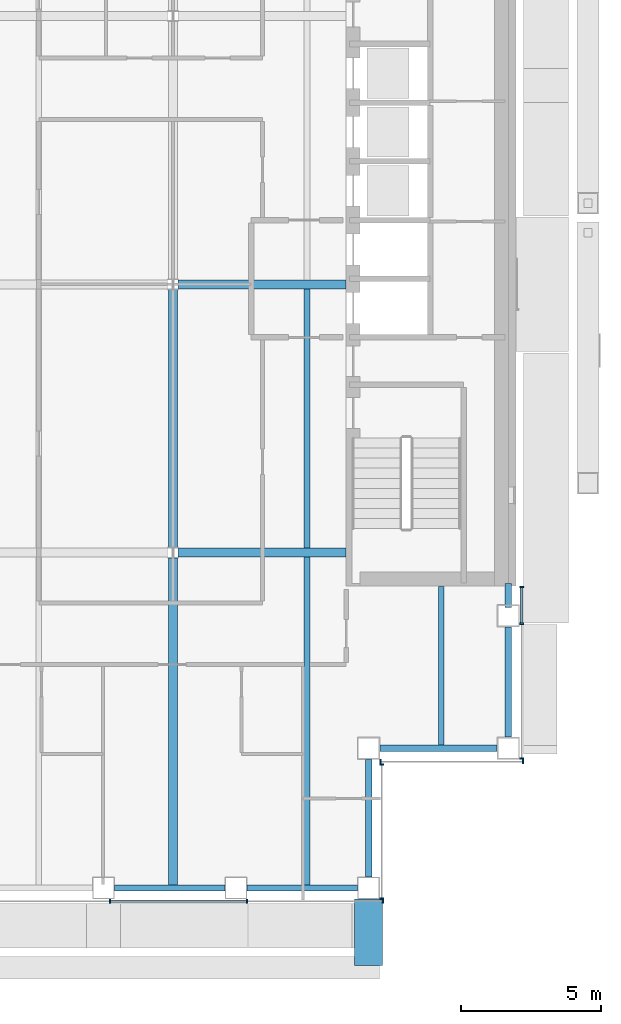
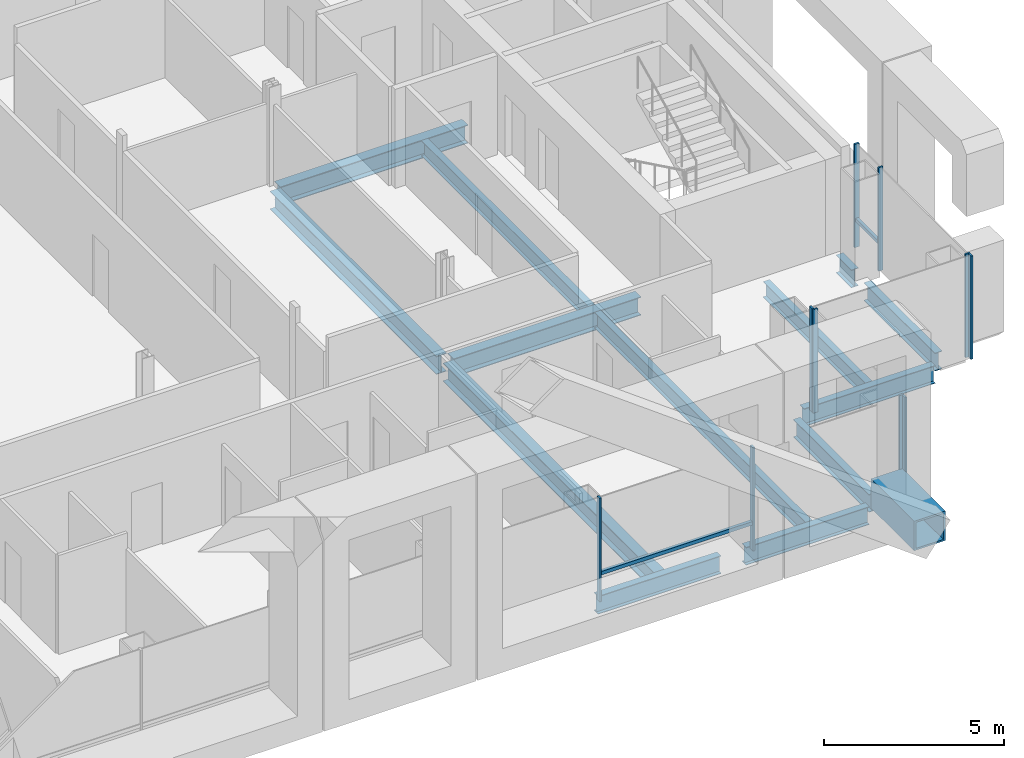
# One storey, part 6 of 22: 14 beams, 12 members, 4 elements without a shape of their own.
"""IFC4 building model written with IfcOpenShell, lengths in metres."""

from ifc_helpers import new_model, si_unit, direction, frame, origin, origin_2d, place, context, subcontext, project, spatial, rectangle, hollow_rectangle, i_section, extrude, material, material_profile, profile_set, type_object, element, aggregate, save


model = new_model("IFC4")

# Units and contexts
model_context = context("Model", 3, precision=1e-05, world=origin(), true_north=direction((0.0, 1.0)))
body_context = subcontext(model_context, "Body", "Model", "MODEL_VIEW")
ifc_project = project(units=[si_unit("LENGTHUNIT", "METRE"), si_unit("AREAUNIT", "SQUARE_METRE"), si_unit("VOLUMEUNIT", "CUBIC_METRE"), si_unit("PLANEANGLEUNIT", "RADIAN"), si_unit("MASSUNIT", "GRAM", prefix="KILO")], contexts=[model_context])

# Site, building, storey
site_placement = place(None, origin())
site = spatial("IfcSite", under=ifc_project, at=site_placement, CompositionType="ELEMENT")
building_placement = place(site_placement, origin())
building = spatial("IfcBuilding", under=site, at=building_placement, Name="Cobrizo Arcos Hotel Tower", CompositionType="ELEMENT")
storey_placement = place(building_placement, frame((0.0, 0.0, 162.0)))
storey = spatial("IfcBuildingStorey", under=building, at=storey_placement, Name="L41", CompositionType="ELEMENT", Elevation=162.0)

# Beam
ifc_material_1 = material(Name="Steel ASTM A572 Grade 50", Category="steel")
ifc_material_profile_1 = material_profile(ifc_material_1, hollow_rectangle(XDim=1.0, YDim=1.0, WallThickness=0.06005859375, at=origin_2d()), Name="BOX 1000X1000X60")
ifc_profile_set_1 = profile_set([ifc_material_profile_1], Name="Steel ASTM A572 Grade 50")
beam_type_1 = type_object("IfcBeamType", Name="BOX 1000X1000X60 brace connector strut", PredefinedType="BEAM", material=ifc_profile_set_1)
beam_1_placement = place(storey_placement, frame((16.60009765625, -21.989990234375, 0.5), z_axis=(0.0, -1.0, 0.0), x_axis=(1.0, 0.0, 0.0)))
element("IfcBeam", 1, at=beam_1_placement, inside=storey, type_object=beam_type_1, Name="Perimeter brace stub BS1, zone Z3, south face, offset +16.60 m, L41", PredefinedType="BEAM", context=body_context, shape_type="SweptSolid", body=[
    extrude(hollow_rectangle(XDim=1.0, YDim=1.0, WallThickness=0.06005859375, at=origin_2d()), origin(), (0.0, 0.0, 1.0), 2.380126953125),
])

# Curtain wall, members
ifc_material_2 = material(Name="Aluminium 6063-T6 anodised bronze", Category="aluminium")
curtain_wall_type = type_object("IfcCurtainWallType", Name="CW-A guest facade", PredefinedType="NOTDEFINED", material=ifc_material_2)
curtain_wall_1_placement = place(storey_placement, origin())
curtain_wall_1 = element("IfcCurtainWall", 2, at=curtain_wall_1_placement, inside=storey, type_object=curtain_wall_type, Name="CW-A L41 S face", PredefinedType="NOTDEFINED")
ifc_material_profile_2 = material_profile(ifc_material_2, rectangle(XDim=0.14990234375, YDim=0.06005859375, at=origin_2d()), Name="CW-A mullion 150x60")
ifc_profile_set_2 = profile_set([ifc_material_profile_2], Name="Aluminium 6063-T6 anodised bronze")
member_type_1 = type_object("IfcMemberType", Name="CW-A mullion 150x60", PredefinedType="MULLION", material=ifc_profile_set_2)
member_1_placement = place(storey_placement, frame((7.35009765625, -22.074951171875, 0.0), z_axis=(0.0, 0.0, 1.0), x_axis=(0.0, -1.0, 0.0)))
member_1 = element("IfcMember", 3, at=member_1_placement, type_object=member_type_1, Name="CW-A mullion 6", PredefinedType="MULLION", context=body_context, shape_type="SweptSolid", body=[
    extrude(rectangle(XDim=0.14990234375, YDim=0.06005859375, at=origin_2d()), origin(), (0.0, 0.0, 1.0), 3.5),
])
member_2_placement = place(storey_placement, frame((12.25, -22.074951171875, 0.0), z_axis=(0.0, 0.0, 1.0), x_axis=(0.0, -1.0, 0.0)))
member_2 = element("IfcMember", 4, at=member_2_placement, type_object=member_type_1, Name="CW-A mullion 7", PredefinedType="MULLION", context=body_context, shape_type="SweptSolid", body=[
    extrude(rectangle(XDim=0.14990234375, YDim=0.06005859375, at=origin_2d()), origin(), (0.0, 0.0, 1.0), 3.5),
])
member_3_placement = place(storey_placement, frame((17.1201171875, -22.074951171875, 0.0), z_axis=(0.0, 0.0, 1.0), x_axis=(0.0, -1.0, 0.0)))
member_3 = element("IfcMember", 5, at=member_3_placement, type_object=member_type_1, Name="CW-A mullion 8", PredefinedType="MULLION", context=body_context, shape_type="SweptSolid", body=[
    extrude(rectangle(XDim=0.14990234375, YDim=0.06005859375, at=origin_2d()), origin(), (0.0, 0.0, 1.0), 3.5),
])

curtain_wall_2_placement = place(storey_placement, origin())
curtain_wall_2 = element("IfcCurtainWall", 6, at=curtain_wall_2_placement, inside=storey, type_object=curtain_wall_type, Name="CW-A L41 E face", PredefinedType="NOTDEFINED")
member_4_placement = place(storey_placement, frame((17.074951171875, -21.969970703125, 0.0), z_axis=(0.0, 0.0, 1.0), x_axis=(1.0, 0.0, 0.0)))
member_4 = element("IfcMember", 7, at=member_4_placement, type_object=member_type_1, Name="CW-A mullion 1", PredefinedType="MULLION", context=body_context, shape_type="SweptSolid", body=[
    extrude(rectangle(XDim=0.14990234375, YDim=0.06005859375, at=origin_2d()), origin(), (0.0, 0.0, 1.0), 3.5),
])
member_5_placement = place(storey_placement, frame((17.074951171875, -17.179931640625, 0.0), z_axis=(0.0, 0.0, 1.0), x_axis=(1.0, 0.0, 0.0)))
member_5 = element("IfcMember", 8, at=member_5_placement, type_object=member_type_1, Name="CW-A mullion 2", PredefinedType="MULLION", context=body_context, shape_type="SweptSolid", body=[
    extrude(rectangle(XDim=0.14990234375, YDim=0.06005859375, at=origin_2d()), origin(), (0.0, 0.0, 1.0), 3.5),
])
aggregate(curtain_wall_2, [member_4, member_5])

curtain_wall_3_placement = place(storey_placement, origin())
curtain_wall_3 = element("IfcCurtainWall", 9, at=curtain_wall_3_placement, inside=storey, type_object=curtain_wall_type, Name="CW-A L41 S face", PredefinedType="NOTDEFINED")
member_6_placement = place(storey_placement, frame((17.030029296875, -17.074951171875, 0.0), z_axis=(0.0, 0.0, 1.0), x_axis=(0.0, -1.0, 0.0)))
member_6 = element("IfcMember", 10, at=member_6_placement, type_object=member_type_1, Name="CW-A mullion 1", PredefinedType="MULLION", context=body_context, shape_type="SweptSolid", body=[
    extrude(rectangle(XDim=0.14990234375, YDim=0.06005859375, at=origin_2d()), origin(), (0.0, 0.0, 1.0), 3.5),
])
member_7_placement = place(storey_placement, frame((22.1201171875, -17.074951171875, 0.0), z_axis=(0.0, 0.0, 1.0), x_axis=(0.0, -1.0, 0.0)))
member_7 = element("IfcMember", 11, at=member_7_placement, type_object=member_type_1, Name="CW-A mullion 2", PredefinedType="MULLION", context=body_context, shape_type="SweptSolid", body=[
    extrude(rectangle(XDim=0.14990234375, YDim=0.06005859375, at=origin_2d()), origin(), (0.0, 0.0, 1.0), 3.5),
])
aggregate(curtain_wall_3, [member_6, member_7])

curtain_wall_4_placement = place(storey_placement, origin())
curtain_wall_4 = element("IfcCurtainWall", 12, at=curtain_wall_4_placement, inside=storey, type_object=curtain_wall_type, Name="CW-A L41 E face", PredefinedType="NOTDEFINED")
member_8_placement = place(storey_placement, frame((22.074951171875, -16.969970703125, 0.0), z_axis=(0.0, 0.0, 1.0), x_axis=(1.0, 0.0, 0.0)))
member_8 = element("IfcMember", 13, at=member_8_placement, type_object=member_type_1, Name="CW-A mullion 1", PredefinedType="MULLION", context=body_context, shape_type="SweptSolid", body=[
    extrude(rectangle(XDim=0.14990234375, YDim=0.06005859375, at=origin_2d()), origin(), (0.0, 0.0, 1.0), 3.5),
])
member_9_placement = place(storey_placement, frame((22.074951171875, -12.142822265625, 0.0), z_axis=(0.0, 0.0, 1.0), x_axis=(1.0, 0.0, 0.0)))
member_9 = element("IfcMember", 14, at=member_9_placement, type_object=member_type_1, Name="CW-A mullion 2", PredefinedType="MULLION", context=body_context, shape_type="SweptSolid", body=[
    extrude(rectangle(XDim=0.14990234375, YDim=0.06005859375, at=origin_2d()), origin(), (0.0, 0.0, 1.0), 3.5),
])
member_10_placement = place(storey_placement, frame((22.074951171875, -10.830078125, 0.0), z_axis=(0.0, 0.0, 1.0), x_axis=(1.0, 0.0, 0.0)))
member_10 = element("IfcMember", 15, at=member_10_placement, type_object=member_type_1, Name="CW-A mullion 3", PredefinedType="MULLION", context=body_context, shape_type="SweptSolid", body=[
    extrude(rectangle(XDim=0.14990234375, YDim=0.06005859375, at=origin_2d()), origin(), (0.0, 0.0, 1.0), 3.5),
])

# Member
ifc_material_profile_3 = material_profile(ifc_material_2, rectangle(XDim=0.10009765625, YDim=0.1201171875, at=origin_2d()), Name="CW-A transom 120x100")
ifc_profile_set_3 = profile_set([ifc_material_profile_3], Name="Aluminium 6063-T6 anodised bronze")
member_type_2 = type_object("IfcMemberType", Name="CW-A transom 120x100", PredefinedType="USERDEFINED", material=ifc_profile_set_3)
member_11_placement = place(storey_placement, frame((7.3798828125, -22.074951171875, 0.929931640625), z_axis=(1.0, 0.0, 0.0), x_axis=(0.0, 1.0, 0.0)))
member_11 = element("IfcMember", 16, at=member_11_placement, type_object=member_type_2, Name="CW-A transom 1461", ObjectType="TRANSOM", PredefinedType="USERDEFINED", context=body_context, shape_type="SweptSolid", body=[
    extrude(rectangle(XDim=0.10009765625, YDim=0.1201171875, at=origin_2d()), origin(), (0.0, 0.0, 1.0), 4.840087890625),
])

aggregate(curtain_wall_1, [member_1, member_2, member_3, member_11])

member_12_placement = place(storey_placement, frame((22.074951171875, -12.11279296875, 0.929931640625), z_axis=(0.0, 1.0, 0.0), x_axis=(-1.0, 0.0, 0.0)))
member_12 = element("IfcMember", 17, at=member_12_placement, type_object=member_type_2, Name="CW-A transom 1466", ObjectType="TRANSOM", PredefinedType="USERDEFINED", context=body_context, shape_type="SweptSolid", body=[
    extrude(rectangle(XDim=0.10009765625, YDim=0.1201171875, at=origin_2d()), origin(), (0.0, 0.0, 1.0), 1.252685546875),
])

aggregate(curtain_wall_4, [member_8, member_9, member_10, member_12])

# Beams
ifc_material_3 = material(Name="Steel ASTM A992 Grade 50", Category="steel")
ifc_material_profile_4 = material_profile(ifc_material_3, i_section(OverallWidth=0.209228515625, OverallDepth=0.533447265625, WebThickness=0.01025390625, FlangeThickness=0.015625, at=origin_2d()), Name="W21X62")
ifc_profile_set_4 = profile_set([ifc_material_profile_4], Name="Steel ASTM A992 Grade 50")
beam_type_2 = type_object("IfcBeamType", Name="W21X62 joist", PredefinedType="JOIST", material=ifc_profile_set_4)
beam_2_placement = place(storey_placement, frame((14.39990234375, -21.510009765625, -0.416748046875), z_axis=(0.0, 1.0, 0.0), x_axis=(-1.0, 0.0, 0.0)))
element("IfcBeam", 18, at=beam_2_placement, inside=storey, type_object=beam_type_2, Name="Floor joist J1, L41, no. 015", PredefinedType="JOIST", context=body_context, shape_type="SweptSolid", body=[
    extrude(i_section(OverallWidth=0.209228515625, OverallDepth=0.533447265625, WebThickness=0.01025390625, FlangeThickness=0.015625, at=origin_2d()), origin(), (0.0, 0.0, 1.0), 11.74609375),
])
beam_3_placement = place(storey_placement, frame((14.39990234375, -9.43603515625, -0.416748046875), z_axis=(0.0, 1.0, 0.0), x_axis=(-1.0, 0.0, 0.0)))
element("IfcBeam", 19, at=beam_3_placement, inside=storey, type_object=beam_type_2, Name="Floor joist J1, L41, no. 016", PredefinedType="JOIST", context=body_context, shape_type="SweptSolid", body=[
    extrude(i_section(OverallWidth=0.209228515625, OverallDepth=0.533447265625, WebThickness=0.01025390625, FlangeThickness=0.015625, at=origin_2d()), origin(), (0.0, 0.0, 1.0), 9.272216796875),
])
beam_4_placement = place(storey_placement, frame((19.199951171875, -16.510009765625, -0.416748046875), z_axis=(0.0, 1.0, 0.0), x_axis=(-1.0, 0.0, 0.0)))
element("IfcBeam", 20, at=beam_4_placement, inside=storey, type_object=beam_type_2, Name="Floor joist J1, L41, no. 019", PredefinedType="JOIST", context=body_context, shape_type="SweptSolid", body=[
    extrude(i_section(OverallWidth=0.209228515625, OverallDepth=0.533447265625, WebThickness=0.01025390625, FlangeThickness=0.015625, at=origin_2d()), origin(), (0.0, 0.0, 1.0), 5.699951171875),
])
ifc_material_profile_5 = material_profile(ifc_material_3, i_section(OverallWidth=0.32763671875, OverallDepth=0.622314453125, WebThickness=0.015380859375, FlangeThickness=0.0244140625, at=origin_2d()), Name="W24X131")
ifc_profile_set_5 = profile_set([ifc_material_profile_5], Name="Steel ASTM A992 Grade 50")
beam_type_3 = type_object("IfcBeamType", Name="W24X131 girder", PredefinedType="BEAM", material=ifc_profile_set_5)
for number, where, z_axis, x_axis, name in (
    (21, (9.78662109375, -9.60009765625, -0.461181640625), (1.0, 0.0, 0.0), (0.0, 1.0, 0.0), "Floor girder G1, L41, no. 004"),
    (22, (9.78662109375, 0.0, -0.461181640625), (1.0, 0.0, 0.0), (0.0, 1.0, 0.0), "Floor girder G1, L41, no. 008"),
):
    element("IfcBeam", number, at=place(storey_placement, frame(where, z_axis=z_axis, x_axis=x_axis)), inside=storey, type_object=beam_type_3, Name=name, PredefinedType="BEAM", context=body_context, shape_type="SweptSolid", body=[
        extrude(i_section(OverallWidth=0.32763671875, OverallDepth=0.622314453125, WebThickness=0.015380859375, FlangeThickness=0.0244140625, at=origin_2d()), origin(), (0.0, 0.0, 1.0), 6.00341796875),
    ])
beam_5_placement = place(storey_placement, frame((9.60009765625, -21.510009765625, -0.461181640625), z_axis=(0.0, 1.0, 0.0), x_axis=(-1.0, 0.0, 0.0)))
element("IfcBeam", 23, at=beam_5_placement, inside=storey, type_object=beam_type_3, Name="Floor girder G1, L41, no. 021", PredefinedType="BEAM", context=body_context, shape_type="SweptSolid", body=[
    extrude(i_section(OverallWidth=0.32763671875, OverallDepth=0.622314453125, WebThickness=0.015380859375, FlangeThickness=0.0244140625, at=origin_2d()), origin(), (0.0, 0.0, 1.0), 11.723388671875),
])
beam_6_placement = place(storey_placement, frame((9.60009765625, -9.413330078125, -0.461181640625), z_axis=(0.0, 1.0, 0.0), x_axis=(-1.0, 0.0, 0.0)))
element("IfcBeam", 24, at=beam_6_placement, inside=storey, type_object=beam_type_3, Name="Floor girder G1, L41, no. 022", PredefinedType="BEAM", context=body_context, shape_type="SweptSolid", body=[
    extrude(i_section(OverallWidth=0.32763671875, OverallDepth=0.622314453125, WebThickness=0.015380859375, FlangeThickness=0.0244140625, at=origin_2d()), origin(), (0.0, 0.0, 1.0), 9.2265625),
])
ifc_material_profile_6 = material_profile(ifc_material_3, i_section(OverallWidth=0.228271484375, OverallDepth=0.607177734375, WebThickness=0.01123046875, FlangeThickness=0.017333984375, at=origin_2d()), Name="W24X76")
ifc_profile_set_6 = profile_set([ifc_material_profile_6], Name="Steel ASTM A992 Grade 50")
beam_type_4 = type_object("IfcBeamType", Name="W24X76 spandrel", PredefinedType="SPANDREL", material=ifc_profile_set_6)
beam_7_placement = place(storey_placement, frame((7.513916015625, -21.60009765625, -0.45361328125), z_axis=(1.0, 0.0, 0.0), x_axis=(0.0, 1.0, 0.0)))
element("IfcBeam", 25, at=beam_7_placement, inside=storey, type_object=beam_type_4, Name="Spandrel beam W24X76, L41, no. 006", PredefinedType="SPANDREL", context=body_context, shape_type="SweptSolid", body=[
    extrude(i_section(OverallWidth=0.228271484375, OverallDepth=0.607177734375, WebThickness=0.01123046875, FlangeThickness=0.017333984375, at=origin_2d()), origin(), (0.0, 0.0, 1.0), 3.943115234375),
])
beam_8_placement = place(storey_placement, frame((12.257080078125, -21.60009765625, -0.45361328125), z_axis=(1.0, 0.0, 0.0), x_axis=(0.0, 1.0, 0.0)))
element("IfcBeam", 26, at=beam_8_placement, inside=storey, type_object=beam_type_4, Name="Spandrel beam W24X76, L41, no. 007", PredefinedType="SPANDREL", context=body_context, shape_type="SweptSolid", body=[
    extrude(i_section(OverallWidth=0.228271484375, OverallDepth=0.607177734375, WebThickness=0.01123046875, FlangeThickness=0.017333984375, at=origin_2d()), origin(), (0.0, 0.0, 1.0), 3.94287109375),
])
for number, where, z_axis, x_axis, name in (
    (27, (16.60009765625, -21.199951171875, -0.45361328125), (0.0, 1.0, 0.0), (-1.0, 0.0, 0.0), "Spandrel beam W24X76, L41, no. 008"),
    (28, (17.0, -16.60009765625, -0.45361328125), (1.0, 0.0, 0.0), (0.0, 1.0, 0.0), "Spandrel beam W24X76, L41, no. 009"),
):
    element("IfcBeam", number, at=place(storey_placement, frame(where, z_axis=z_axis, x_axis=x_axis)), inside=storey, type_object=beam_type_4, Name=name, PredefinedType="SPANDREL", context=body_context, shape_type="SweptSolid", body=[
        extrude(i_section(OverallWidth=0.228271484375, OverallDepth=0.607177734375, WebThickness=0.01123046875, FlangeThickness=0.017333984375, at=origin_2d()), origin(), (0.0, 0.0, 1.0), 4.199951171875),
    ])
beam_9_placement = place(storey_placement, frame((21.60009765625, -16.199951171875, -0.45361328125), z_axis=(0.0, 1.0, 0.0), x_axis=(-1.0, 0.0, 0.0)))
element("IfcBeam", 29, at=beam_9_placement, inside=storey, type_object=beam_type_4, Name="Spandrel beam W24X76, L41, no. 010", PredefinedType="SPANDREL", context=body_context, shape_type="SweptSolid", body=[
    extrude(i_section(OverallWidth=0.228271484375, OverallDepth=0.607177734375, WebThickness=0.01123046875, FlangeThickness=0.017333984375, at=origin_2d()), origin(), (0.0, 0.0, 1.0), 3.94287109375),
])
beam_10_placement = place(storey_placement, frame((21.60009765625, -11.556884765625, -0.45361328125), z_axis=(0.0, 1.0, 0.0), x_axis=(-1.0, 0.0, 0.0)))
element("IfcBeam", 30, at=beam_10_placement, inside=storey, type_object=beam_type_4, Name="Spandrel beam W24X76, L41, no. 011", PredefinedType="SPANDREL", context=body_context, shape_type="SweptSolid", body=[
    extrude(i_section(OverallWidth=0.228271484375, OverallDepth=0.607177734375, WebThickness=0.01123046875, FlangeThickness=0.017333984375, at=origin_2d()), origin(), (0.0, 0.0, 1.0), 0.846923828125),
])

save(model, "model.ifc")
